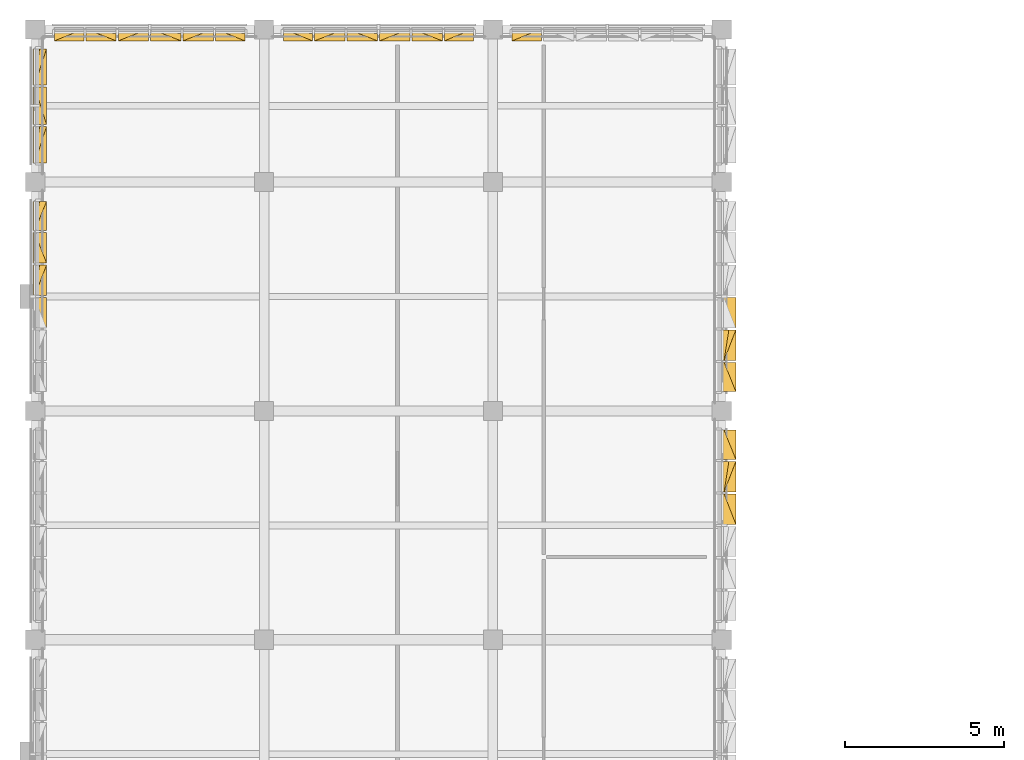
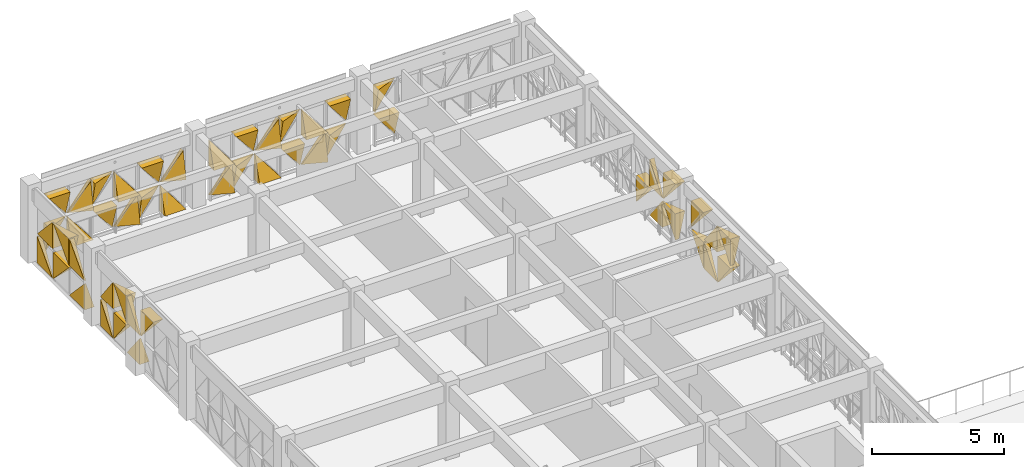
# One storey, part 98 of 99: 50 coverings.
"""IFC4 building model written with IfcOpenShell, lengths in metres."""

from ifc_helpers import new_model, si_unit, direction, frame, origin, place, context, subcontext, project, spatial, polygons, material, layer, layer_set, type_object, element, save


model = new_model("IFC4")

# Units and contexts
model_context = context("Model", 3, precision=1e-05, world=origin(), true_north=direction((0.0, 1.0)))
body_context = subcontext(model_context, "Body", "Model", "MODEL_VIEW")
ifc_project = project(units=[si_unit("LENGTHUNIT", "METRE"), si_unit("AREAUNIT", "SQUARE_METRE"), si_unit("VOLUMEUNIT", "CUBIC_METRE"), si_unit("PLANEANGLEUNIT", "RADIAN"), si_unit("MASSUNIT", "GRAM", prefix="KILO")], contexts=[model_context])

# Site, building, storey
site_placement = place(None, origin())
site = spatial("IfcSite", under=ifc_project, at=site_placement, CompositionType="ELEMENT")
building_placement = place(site_placement, origin())
building = spatial("IfcBuilding", under=site, at=building_placement, Name="Alvorim Cloister Faculty of Sciences", CompositionType="ELEMENT")
storey_placement = place(building_placement, frame((0.0, 0.0, 12.14990234375)))
storey = spatial("IfcBuildingStorey", under=building, at=storey_placement, Name="L03", CompositionType="ELEMENT", Elevation=12.14990234375)

# Coverings
ifc_material = material(Name="Perforated Bronze Alloy Sheet", Category="metal")
ifc_layer = layer(ifc_material, 0.0380859375)
ifc_layer_set = layer_set([ifc_layer], Name="Perforated Bronze Alloy Sheet")
covering_type = type_object("IfcCoveringType", Name="COV-TRI-BRZ", PredefinedType="CLADDING", material=ifc_layer_set)
covering_1_placement = place(storey_placement, frame((-0.044921875, 102.21240234375, 1.4951171875), z_axis=(0.0, 0.0, 1.0), x_axis=(0.0, 1.0, 0.0)))
element("IfcCovering", 1, at=covering_1_placement, inside=storey, type_object=covering_type, Name="Diagonal Solid Metal Triangle TRI-TR", PredefinedType="CLADDING", context=body_context, shape_type="Tessellation", body=[
    polygons([(0.955078125, 0.0260009765625, 0.002), (0.955078125, 0.0260009765625, 1.215087890625), (0.002, 0.0260009765625, 1.215087890625), (0.955078125, -0.03, 0.002), (0.955078125, -0.4, 1.215087890625), (0.002, -0.4, 1.215087890625)], [[[1, 3, 2]], [[4, 5, 6]], [[1, 2, 5, 4]], [[2, 3, 6, 5]], [[3, 1, 4, 6]]], closed=True),
])
covering_2_placement = place(storey_placement, frame((-0.044921875, 103.232421875, 0.14013671875), z_axis=(0.0, 0.0, 1.0), x_axis=(0.0, 1.0, 0.0)))
element("IfcCovering", 2, at=covering_2_placement, inside=storey, type_object=covering_type, Name="Diagonal Solid Metal Triangle TRI-BL", PredefinedType="CLADDING", context=body_context, shape_type="Tessellation", body=[
    polygons([(0.0, 0.0260009765625, 0.0), (0.953078125, 0.0260009765625, 0.0), (0.0, 0.0260009765625, 1.21284375), (0.0, -0.4, 0.0), (0.953078125, -0.4, 0.0), (0.0, -0.03, 1.21284375)], [[[1, 3, 2]], [[4, 5, 6]], [[1, 2, 5, 4]], [[2, 3, 6, 5]], [[3, 1, 4, 6]]], closed=True),
])
covering_3_placement = place(storey_placement, frame((-0.044921875, 103.232421875, 1.4951171875), z_axis=(0.0, 0.0, 1.0), x_axis=(0.0, 1.0, 0.0)))
element("IfcCovering", 3, at=covering_3_placement, inside=storey, type_object=covering_type, Name="Diagonal Solid Metal Triangle TRI-BR", PredefinedType="CLADDING", context=body_context, shape_type="Tessellation", body=[
    polygons([(0.002, 0.0260009765625, 0.0), (0.955078125, 0.0260009765625, 0.0), (0.955078125, 0.0260009765625, 1.213087890625), (0.002, -0.03, 0.0), (0.955078125, -0.4, 0.0), (0.955078125, -0.18000000000000002, 1.213087890625)], [[[1, 3, 2]], [[4, 5, 6]], [[1, 2, 5, 4]], [[2, 3, 6, 5]], [[3, 1, 4, 6]]], closed=True),
])
covering_4_placement = place(storey_placement, frame((-0.044921875, 104.25244140625, 0.14013671875), z_axis=(0.0, 0.0, 1.0), x_axis=(0.0, 1.0, 0.0)))
element("IfcCovering", 4, at=covering_4_placement, inside=storey, type_object=covering_type, Name="Diagonal Solid Metal Triangle TRI-TR", PredefinedType="CLADDING", context=body_context, shape_type="Tessellation", body=[
    polygons([(0.955078125, 0.0260009765625, 0.002), (0.955078125, 0.0260009765625, 1.21484375), (0.002, 0.0260009765625, 1.21484375), (0.955078125, -0.03, 0.002), (0.955078125, -0.4, 1.21484375), (0.002, -0.4, 1.21484375)], [[[1, 3, 2]], [[4, 5, 6]], [[1, 2, 5, 4]], [[2, 3, 6, 5]], [[3, 1, 4, 6]]], closed=True),
])
covering_5_placement = place(storey_placement, frame((-0.044921875, 104.25244140625, 1.4951171875), z_axis=(0.0, 0.0, 1.0), x_axis=(0.0, 1.0, 0.0)))
element("IfcCovering", 5, at=covering_5_placement, inside=storey, type_object=covering_type, Name="Diagonal Solid Metal Triangle TRI-TL", PredefinedType="CLADDING", context=body_context, shape_type="Tessellation", body=[
    polygons([(0.953078125, 0.0260009765625, 1.215087890625), (0.0, 0.0260009765625, 1.215087890625), (0.0, 0.0260009765625, 0.002), (0.953078125, -0.03, 1.215087890625), (0.0, -0.4, 1.215087890625), (0.0, -0.13999999999999999, 0.002)], [[[1, 3, 2]], [[4, 5, 6]], [[1, 2, 5, 4]], [[2, 3, 6, 5]], [[3, 1, 4, 6]]], closed=True),
])
covering_6_placement = place(storey_placement, frame((-0.044921875, 105.2724609375, 0.14013671875), z_axis=(0.0, 0.0, 1.0), x_axis=(0.0, 1.0, 0.0)))
element("IfcCovering", 6, at=covering_6_placement, inside=storey, type_object=covering_type, Name="Diagonal Solid Metal Triangle TRI-BR", PredefinedType="CLADDING", context=body_context, shape_type="Tessellation", body=[
    polygons([(0.002, 0.0260009765625, 0.0), (0.922607421875, 0.0260009765625, 0.0), (0.922607421875, 0.0260009765625, 1.21284375), (0.002, -0.03, 0.0), (0.922607421875, -0.4, 0.0), (0.922607421875, -0.18000000000000002, 1.21284375)], [[[1, 3, 2]], [[4, 5, 6]], [[1, 2, 5, 4]], [[2, 3, 6, 5]], [[3, 1, 4, 6]]], closed=True),
])
covering_7_placement = place(storey_placement, frame((-0.044921875, 105.2724609375, 1.4951171875), z_axis=(0.0, 0.0, 1.0), x_axis=(0.0, 1.0, 0.0)))
element("IfcCovering", 7, at=covering_7_placement, inside=storey, type_object=covering_type, Name="Diagonal Solid Metal Triangle TRI-BL", PredefinedType="CLADDING", context=body_context, shape_type="Tessellation", body=[
    polygons([(0.0, 0.0260009765625, 0.0), (0.920607421875, 0.0260009765625, 0.0), (0.0, 0.0260009765625, 1.213087890625), (0.0, -0.4, 0.0), (0.920607421875, -0.4, 0.0), (0.0, -0.03, 1.213087890625)], [[[1, 3, 2]], [[4, 5, 6]], [[1, 2, 5, 4]], [[2, 3, 6, 5]], [[3, 1, 4, 6]]], closed=True),
])
covering_8_placement = place(storey_placement, frame((-0.044921875, 107.405029296875, 0.14013671875), z_axis=(0.0, 0.0, 1.0), x_axis=(0.0, 1.0, 0.0)))
element("IfcCovering", 8, at=covering_8_placement, inside=storey, type_object=covering_type, Name="Diagonal Solid Metal Triangle TRI-BL", PredefinedType="CLADDING", context=body_context, shape_type="Tessellation", body=[
    polygons([(0.0, 0.0260009765625, 0.0), (1.140578125, 0.0260009765625, 0.0), (0.0, 0.0260009765625, 1.21284375), (0.0, -0.4, 0.0), (1.140578125, -0.4, 0.0), (0.0, -0.03, 1.21284375)], [[[1, 3, 2]], [[4, 5, 6]], [[1, 2, 5, 4]], [[2, 3, 6, 5]], [[3, 1, 4, 6]]], closed=True),
])
covering_9_placement = place(storey_placement, frame((-0.044921875, 107.405029296875, 1.4951171875), z_axis=(0.0, 0.0, 1.0), x_axis=(0.0, 1.0, 0.0)))
element("IfcCovering", 9, at=covering_9_placement, inside=storey, type_object=covering_type, Name="Diagonal Solid Metal Triangle TRI-BR", PredefinedType="CLADDING", context=body_context, shape_type="Tessellation", body=[
    polygons([(0.002, 0.0260009765625, 0.0), (1.142578125, 0.0260009765625, 0.0), (1.142578125, 0.0260009765625, 1.213087890625), (0.002, -0.03, 0.0), (1.142578125, -0.4, 0.0), (1.142578125, -0.18000000000000002, 1.213087890625)], [[[1, 3, 2]], [[4, 5, 6]], [[1, 2, 5, 4]], [[2, 3, 6, 5]], [[3, 1, 4, 6]]], closed=True),
])
covering_10_placement = place(storey_placement, frame((-0.044921875, 108.612548828125, 0.14013671875), z_axis=(0.0, 0.0, 1.0), x_axis=(0.0, 1.0, 0.0)))
element("IfcCovering", 10, at=covering_10_placement, inside=storey, type_object=covering_type, Name="Diagonal Solid Metal Triangle TRI-TR", PredefinedType="CLADDING", context=body_context, shape_type="Tessellation", body=[
    polygons([(1.175048828125, 0.0260009765625, 0.002), (1.175048828125, 0.0260009765625, 1.21484375), (0.002, 0.0260009765625, 1.21484375), (1.175048828125, -0.03, 0.002), (1.175048828125, -0.4, 1.21484375), (0.002, -0.4, 1.21484375)], [[[1, 3, 2]], [[4, 5, 6]], [[1, 2, 5, 4]], [[2, 3, 6, 5]], [[3, 1, 4, 6]]], closed=True),
])
covering_11_placement = place(storey_placement, frame((-0.044921875, 108.612548828125, 1.4951171875), z_axis=(0.0, 0.0, 1.0), x_axis=(0.0, 1.0, 0.0)))
element("IfcCovering", 11, at=covering_11_placement, inside=storey, type_object=covering_type, Name="Diagonal Solid Metal Triangle TRI-TL", PredefinedType="CLADDING", context=body_context, shape_type="Tessellation", body=[
    polygons([(1.173048828125, 0.0260009765625, 1.215087890625), (0.0, 0.0260009765625, 1.215087890625), (0.0, 0.0260009765625, 0.002), (1.173048828125, -0.03, 1.215087890625), (0.0, -0.4, 1.215087890625), (0.0, -0.13999999999999999, 0.002)], [[[1, 3, 2]], [[4, 5, 6]], [[1, 2, 5, 4]], [[2, 3, 6, 5]], [[3, 1, 4, 6]]], closed=True),
])
covering_12_placement = place(storey_placement, frame((-0.044921875, 109.8525390625, 0.14013671875), z_axis=(0.0, 0.0, 1.0), x_axis=(0.0, 1.0, 0.0)))
element("IfcCovering", 12, at=covering_12_placement, inside=storey, type_object=covering_type, Name="Diagonal Solid Metal Triangle TRI-BR", PredefinedType="CLADDING", context=body_context, shape_type="Tessellation", body=[
    polygons([(0.002, 0.0260009765625, 0.0), (1.142578125, 0.0260009765625, 0.0), (1.142578125, 0.0260009765625, 1.21284375), (0.002, -0.03, 0.0), (1.142578125, -0.4, 0.0), (1.142578125, -0.18000000000000002, 1.21284375)], [[[1, 3, 2]], [[4, 5, 6]], [[1, 2, 5, 4]], [[2, 3, 6, 5]], [[3, 1, 4, 6]]], closed=True),
])
covering_13_placement = place(storey_placement, frame((-0.044921875, 109.8525390625, 1.4951171875), z_axis=(0.0, 0.0, 1.0), x_axis=(0.0, 1.0, 0.0)))
element("IfcCovering", 13, at=covering_13_placement, inside=storey, type_object=covering_type, Name="Diagonal Solid Metal Triangle TRI-BL", PredefinedType="CLADDING", context=body_context, shape_type="Tessellation", body=[
    polygons([(0.0, 0.0260009765625, 0.0), (1.140578125, 0.0260009765625, 0.0), (0.0, 0.0260009765625, 1.213087890625), (0.0, -0.4, 0.0), (1.140578125, -0.4, 0.0), (0.0, -0.03, 1.213087890625)], [[[1, 3, 2]], [[4, 5, 6]], [[1, 2, 5, 4]], [[2, 3, 6, 5]], [[3, 1, 4, 6]]], closed=True),
])
covering_14_placement = place(storey_placement, frame((0.60498046875, 111.64501953125, 0.14013671875), z_axis=(0.0, 0.0, 1.0), x_axis=(1.0, 0.0, 0.0)))
element("IfcCovering", 14, at=covering_14_placement, inside=storey, type_object=covering_type, Name="Diagonal Solid Metal Triangle TRI-TL", PredefinedType="CLADDING", context=body_context, shape_type="Tessellation", body=[
    polygons([(0.920607421875, 0.0260009765625, 1.21484375), (0.0, 0.0260009765625, 1.21484375), (0.0, 0.0260009765625, 0.002), (0.920607421875, -0.03, 1.21484375), (0.0, -0.4, 1.21484375), (0.0, -0.13999999999999999, 0.002)], [[[1, 3, 2]], [[4, 5, 6]], [[1, 2, 5, 4]], [[2, 3, 6, 5]], [[3, 1, 4, 6]]], closed=True),
])
covering_15_placement = place(storey_placement, frame((0.60498046875, 111.64501953125, 1.4951171875), z_axis=(0.0, 0.0, 1.0), x_axis=(1.0, 0.0, 0.0)))
element("IfcCovering", 15, at=covering_15_placement, inside=storey, type_object=covering_type, Name="Diagonal Solid Metal Triangle TRI-TR", PredefinedType="CLADDING", context=body_context, shape_type="Tessellation", body=[
    polygons([(0.922607421875, 0.0260009765625, 0.002), (0.922607421875, 0.0260009765625, 1.215087890625), (0.002, 0.0260009765625, 1.215087890625), (0.922607421875, -0.03, 0.002), (0.922607421875, -0.4, 1.215087890625), (0.002, -0.4, 1.215087890625)], [[[1, 3, 2]], [[4, 5, 6]], [[1, 2, 5, 4]], [[2, 3, 6, 5]], [[3, 1, 4, 6]]], closed=True),
])
covering_16_placement = place(storey_placement, frame((1.592529296875, 111.64501953125, 0.14013671875), z_axis=(0.0, 0.0, 1.0), x_axis=(1.0, 0.0, 0.0)))
element("IfcCovering", 16, at=covering_16_placement, inside=storey, type_object=covering_type, Name="Diagonal Solid Metal Triangle TRI-BL", PredefinedType="CLADDING", context=body_context, shape_type="Tessellation", body=[
    polygons([(0.0, 0.0260009765625, 0.0), (0.953078125, 0.0260009765625, 0.0), (0.0, 0.0260009765625, 1.21284375), (0.0, -0.4, 0.0), (0.953078125, -0.4, 0.0), (0.0, -0.03, 1.21284375)], [[[1, 3, 2]], [[4, 5, 6]], [[1, 2, 5, 4]], [[2, 3, 6, 5]], [[3, 1, 4, 6]]], closed=True),
])
covering_17_placement = place(storey_placement, frame((1.592529296875, 111.64501953125, 1.4951171875), z_axis=(0.0, 0.0, 1.0), x_axis=(1.0, 0.0, 0.0)))
element("IfcCovering", 17, at=covering_17_placement, inside=storey, type_object=covering_type, Name="Diagonal Solid Metal Triangle TRI-BR", PredefinedType="CLADDING", context=body_context, shape_type="Tessellation", body=[
    polygons([(0.002, 0.0260009765625, 0.0), (0.955078125, 0.0260009765625, 0.0), (0.955078125, 0.0260009765625, 1.213087890625), (0.002, -0.03, 0.0), (0.955078125, -0.4, 0.0), (0.955078125, -0.18000000000000002, 1.213087890625)], [[[1, 3, 2]], [[4, 5, 6]], [[1, 2, 5, 4]], [[2, 3, 6, 5]], [[3, 1, 4, 6]]], closed=True),
])
covering_18_placement = place(storey_placement, frame((2.612548828125, 111.64501953125, 0.14013671875), z_axis=(0.0, 0.0, 1.0), x_axis=(1.0, 0.0, 0.0)))
element("IfcCovering", 18, at=covering_18_placement, inside=storey, type_object=covering_type, Name="Diagonal Solid Metal Triangle TRI-TR", PredefinedType="CLADDING", context=body_context, shape_type="Tessellation", body=[
    polygons([(0.955078125, 0.0260009765625, 0.002), (0.955078125, 0.0260009765625, 1.21484375), (0.002, 0.0260009765625, 1.21484375), (0.955078125, -0.03, 0.002), (0.955078125, -0.4, 1.21484375), (0.002, -0.4, 1.21484375)], [[[1, 3, 2]], [[4, 5, 6]], [[1, 2, 5, 4]], [[2, 3, 6, 5]], [[3, 1, 4, 6]]], closed=True),
])
covering_19_placement = place(storey_placement, frame((2.612548828125, 111.64501953125, 1.4951171875), z_axis=(0.0, 0.0, 1.0), x_axis=(1.0, 0.0, 0.0)))
element("IfcCovering", 19, at=covering_19_placement, inside=storey, type_object=covering_type, Name="Diagonal Solid Metal Triangle TRI-TL", PredefinedType="CLADDING", context=body_context, shape_type="Tessellation", body=[
    polygons([(0.953078125, 0.0260009765625, 1.215087890625), (0.0, 0.0260009765625, 1.215087890625), (0.0, 0.0260009765625, 0.002), (0.953078125, -0.03, 1.215087890625), (0.0, -0.4, 1.215087890625), (0.0, -0.13999999999999999, 0.002)], [[[1, 3, 2]], [[4, 5, 6]], [[1, 2, 5, 4]], [[2, 3, 6, 5]], [[3, 1, 4, 6]]], closed=True),
])
covering_20_placement = place(storey_placement, frame((3.632568359375, 111.64501953125, 0.14013671875), z_axis=(0.0, 0.0, 1.0), x_axis=(1.0, 0.0, 0.0)))
element("IfcCovering", 20, at=covering_20_placement, inside=storey, type_object=covering_type, Name="Diagonal Solid Metal Triangle TRI-BR", PredefinedType="CLADDING", context=body_context, shape_type="Tessellation", body=[
    polygons([(0.002, 0.0260009765625, 0.0), (0.955078125, 0.0260009765625, 0.0), (0.955078125, 0.0260009765625, 1.21284375), (0.002, -0.03, 0.0), (0.955078125, -0.4, 0.0), (0.955078125, -0.18000000000000002, 1.21284375)], [[[1, 3, 2]], [[4, 5, 6]], [[1, 2, 5, 4]], [[2, 3, 6, 5]], [[3, 1, 4, 6]]], closed=True),
])
covering_21_placement = place(storey_placement, frame((3.632568359375, 111.64501953125, 1.4951171875), z_axis=(0.0, 0.0, 1.0), x_axis=(1.0, 0.0, 0.0)))
element("IfcCovering", 21, at=covering_21_placement, inside=storey, type_object=covering_type, Name="Diagonal Solid Metal Triangle TRI-BL", PredefinedType="CLADDING", context=body_context, shape_type="Tessellation", body=[
    polygons([(0.0, 0.0260009765625, 0.0), (0.953078125, 0.0260009765625, 0.0), (0.0, 0.0260009765625, 1.213087890625), (0.0, -0.4, 0.0), (0.953078125, -0.4, 0.0), (0.0, -0.03, 1.213087890625)], [[[1, 3, 2]], [[4, 5, 6]], [[1, 2, 5, 4]], [[2, 3, 6, 5]], [[3, 1, 4, 6]]], closed=True),
])
covering_22_placement = place(storey_placement, frame((4.652587890625, 111.64501953125, 0.14013671875), z_axis=(0.0, 0.0, 1.0), x_axis=(1.0, 0.0, 0.0)))
element("IfcCovering", 22, at=covering_22_placement, inside=storey, type_object=covering_type, Name="Diagonal Solid Metal Triangle TRI-TL", PredefinedType="CLADDING", context=body_context, shape_type="Tessellation", body=[
    polygons([(0.953078125, 0.0260009765625, 1.21484375), (0.0, 0.0260009765625, 1.21484375), (0.0, 0.0260009765625, 0.002), (0.953078125, -0.03, 1.21484375), (0.0, -0.4, 1.21484375), (0.0, -0.13999999999999999, 0.002)], [[[1, 3, 2]], [[4, 5, 6]], [[1, 2, 5, 4]], [[2, 3, 6, 5]], [[3, 1, 4, 6]]], closed=True),
])
covering_23_placement = place(storey_placement, frame((4.652587890625, 111.64501953125, 1.4951171875), z_axis=(0.0, 0.0, 1.0), x_axis=(1.0, 0.0, 0.0)))
element("IfcCovering", 23, at=covering_23_placement, inside=storey, type_object=covering_type, Name="Diagonal Solid Metal Triangle TRI-TR", PredefinedType="CLADDING", context=body_context, shape_type="Tessellation", body=[
    polygons([(0.955078125, 0.0260009765625, 0.002), (0.955078125, 0.0260009765625, 1.215087890625), (0.002, 0.0260009765625, 1.215087890625), (0.955078125, -0.03, 0.002), (0.955078125, -0.4, 1.215087890625), (0.002, -0.4, 1.215087890625)], [[[1, 3, 2]], [[4, 5, 6]], [[1, 2, 5, 4]], [[2, 3, 6, 5]], [[3, 1, 4, 6]]], closed=True),
])
covering_24_placement = place(storey_placement, frame((5.672607421875, 111.64501953125, 0.14013671875), z_axis=(0.0, 0.0, 1.0), x_axis=(1.0, 0.0, 0.0)))
element("IfcCovering", 24, at=covering_24_placement, inside=storey, type_object=covering_type, Name="Diagonal Solid Metal Triangle TRI-BL", PredefinedType="CLADDING", context=body_context, shape_type="Tessellation", body=[
    polygons([(0.0, 0.0260009765625, 0.0), (0.920607421875, 0.0260009765625, 0.0), (0.0, 0.0260009765625, 1.21284375), (0.0, -0.4, 0.0), (0.920607421875, -0.4, 0.0), (0.0, -0.03, 1.21284375)], [[[1, 3, 2]], [[4, 5, 6]], [[1, 2, 5, 4]], [[2, 3, 6, 5]], [[3, 1, 4, 6]]], closed=True),
])
covering_25_placement = place(storey_placement, frame((5.672607421875, 111.64501953125, 1.4951171875), z_axis=(0.0, 0.0, 1.0), x_axis=(1.0, 0.0, 0.0)))
element("IfcCovering", 25, at=covering_25_placement, inside=storey, type_object=covering_type, Name="Diagonal Solid Metal Triangle TRI-BR", PredefinedType="CLADDING", context=body_context, shape_type="Tessellation", body=[
    polygons([(0.002, 0.0260009765625, 0.0), (0.922607421875, 0.0260009765625, 0.0), (0.922607421875, 0.0260009765625, 1.213087890625), (0.002, -0.03, 0.0), (0.922607421875, -0.4, 0.0), (0.922607421875, -0.18000000000000002, 1.213087890625)], [[[1, 3, 2]], [[4, 5, 6]], [[1, 2, 5, 4]], [[2, 3, 6, 5]], [[3, 1, 4, 6]]], closed=True),
])
covering_26_placement = place(storey_placement, frame((7.804931640625, 111.64501953125, 0.14013671875), z_axis=(0.0, 0.0, 1.0), x_axis=(1.0, 0.0, 0.0)))
element("IfcCovering", 26, at=covering_26_placement, inside=storey, type_object=covering_type, Name="Diagonal Solid Metal Triangle TRI-BR", PredefinedType="CLADDING", context=body_context, shape_type="Tessellation", body=[
    polygons([(0.002, 0.0260009765625, 0.0), (0.922607421875, 0.0260009765625, 0.0), (0.922607421875, 0.0260009765625, 1.21284375), (0.002, -0.03, 0.0), (0.922607421875, -0.4, 0.0), (0.922607421875, -0.18000000000000002, 1.21284375)], [[[1, 3, 2]], [[4, 5, 6]], [[1, 2, 5, 4]], [[2, 3, 6, 5]], [[3, 1, 4, 6]]], closed=True),
])
covering_27_placement = place(storey_placement, frame((7.804931640625, 111.64501953125, 1.4951171875), z_axis=(0.0, 0.0, 1.0), x_axis=(1.0, 0.0, 0.0)))
element("IfcCovering", 27, at=covering_27_placement, inside=storey, type_object=covering_type, Name="Diagonal Solid Metal Triangle TRI-BL", PredefinedType="CLADDING", context=body_context, shape_type="Tessellation", body=[
    polygons([(0.0, 0.0260009765625, 0.0), (0.920607421875, 0.0260009765625, 0.0), (0.0, 0.0260009765625, 1.213087890625), (0.0, -0.4, 0.0), (0.920607421875, -0.4, 0.0), (0.0, -0.03, 1.213087890625)], [[[1, 3, 2]], [[4, 5, 6]], [[1, 2, 5, 4]], [[2, 3, 6, 5]], [[3, 1, 4, 6]]], closed=True),
])
covering_28_placement = place(storey_placement, frame((8.79248046875, 111.64501953125, 0.14013671875), z_axis=(0.0, 0.0, 1.0), x_axis=(1.0, 0.0, 0.0)))
element("IfcCovering", 28, at=covering_28_placement, inside=storey, type_object=covering_type, Name="Diagonal Solid Metal Triangle TRI-TL", PredefinedType="CLADDING", context=body_context, shape_type="Tessellation", body=[
    polygons([(0.953078125, 0.0260009765625, 1.21484375), (0.0, 0.0260009765625, 1.21484375), (0.0, 0.0260009765625, 0.002), (0.953078125, -0.03, 1.21484375), (0.0, -0.4, 1.21484375), (0.0, -0.13999999999999999, 0.002)], [[[1, 3, 2]], [[4, 5, 6]], [[1, 2, 5, 4]], [[2, 3, 6, 5]], [[3, 1, 4, 6]]], closed=True),
])
covering_29_placement = place(storey_placement, frame((8.79248046875, 111.64501953125, 1.4951171875), z_axis=(0.0, 0.0, 1.0), x_axis=(1.0, 0.0, 0.0)))
element("IfcCovering", 29, at=covering_29_placement, inside=storey, type_object=covering_type, Name="Diagonal Solid Metal Triangle TRI-TR", PredefinedType="CLADDING", context=body_context, shape_type="Tessellation", body=[
    polygons([(0.955078125, 0.0260009765625, 0.002), (0.955078125, 0.0260009765625, 1.215087890625), (0.002, 0.0260009765625, 1.215087890625), (0.955078125, -0.03, 0.002), (0.955078125, -0.4, 1.215087890625), (0.002, -0.4, 1.215087890625)], [[[1, 3, 2]], [[4, 5, 6]], [[1, 2, 5, 4]], [[2, 3, 6, 5]], [[3, 1, 4, 6]]], closed=True),
])
covering_30_placement = place(storey_placement, frame((9.8125, 111.64501953125, 0.14013671875), z_axis=(0.0, 0.0, 1.0), x_axis=(1.0, 0.0, 0.0)))
element("IfcCovering", 30, at=covering_30_placement, inside=storey, type_object=covering_type, Name="Diagonal Solid Metal Triangle TRI-BL", PredefinedType="CLADDING", context=body_context, shape_type="Tessellation", body=[
    polygons([(0.0, 0.0260009765625, 0.0), (0.953078125, 0.0260009765625, 0.0), (0.0, 0.0260009765625, 1.21284375), (0.0, -0.4, 0.0), (0.953078125, -0.4, 0.0), (0.0, -0.03, 1.21284375)], [[[1, 3, 2]], [[4, 5, 6]], [[1, 2, 5, 4]], [[2, 3, 6, 5]], [[3, 1, 4, 6]]], closed=True),
])
covering_31_placement = place(storey_placement, frame((9.8125, 111.64501953125, 1.4951171875), z_axis=(0.0, 0.0, 1.0), x_axis=(1.0, 0.0, 0.0)))
element("IfcCovering", 31, at=covering_31_placement, inside=storey, type_object=covering_type, Name="Diagonal Solid Metal Triangle TRI-BR", PredefinedType="CLADDING", context=body_context, shape_type="Tessellation", body=[
    polygons([(0.002, 0.0260009765625, 0.0), (0.955078125, 0.0260009765625, 0.0), (0.955078125, 0.0260009765625, 1.213087890625), (0.002, -0.03, 0.0), (0.955078125, -0.4, 0.0), (0.955078125, -0.18000000000000002, 1.213087890625)], [[[1, 3, 2]], [[4, 5, 6]], [[1, 2, 5, 4]], [[2, 3, 6, 5]], [[3, 1, 4, 6]]], closed=True),
])
covering_32_placement = place(storey_placement, frame((10.83251953125, 111.64501953125, 0.14013671875), z_axis=(0.0, 0.0, 1.0), x_axis=(1.0, 0.0, 0.0)))
element("IfcCovering", 32, at=covering_32_placement, inside=storey, type_object=covering_type, Name="Diagonal Solid Metal Triangle TRI-TR", PredefinedType="CLADDING", context=body_context, shape_type="Tessellation", body=[
    polygons([(0.955078125, 0.0260009765625, 0.002), (0.955078125, 0.0260009765625, 1.21484375), (0.002, 0.0260009765625, 1.21484375), (0.955078125, -0.03, 0.002), (0.955078125, -0.4, 1.21484375), (0.002, -0.4, 1.21484375)], [[[1, 3, 2]], [[4, 5, 6]], [[1, 2, 5, 4]], [[2, 3, 6, 5]], [[3, 1, 4, 6]]], closed=True),
])
covering_33_placement = place(storey_placement, frame((10.83251953125, 111.64501953125, 1.4951171875), z_axis=(0.0, 0.0, 1.0), x_axis=(1.0, 0.0, 0.0)))
element("IfcCovering", 33, at=covering_33_placement, inside=storey, type_object=covering_type, Name="Diagonal Solid Metal Triangle TRI-TL", PredefinedType="CLADDING", context=body_context, shape_type="Tessellation", body=[
    polygons([(0.953078125, 0.0260009765625, 1.215087890625), (0.0, 0.0260009765625, 1.215087890625), (0.0, 0.0260009765625, 0.002), (0.953078125, -0.03, 1.215087890625), (0.0, -0.4, 1.215087890625), (0.0, -0.13999999999999999, 0.002)], [[[1, 3, 2]], [[4, 5, 6]], [[1, 2, 5, 4]], [[2, 3, 6, 5]], [[3, 1, 4, 6]]], closed=True),
])
covering_34_placement = place(storey_placement, frame((11.8525390625, 111.64501953125, 0.14013671875), z_axis=(0.0, 0.0, 1.0), x_axis=(1.0, 0.0, 0.0)))
element("IfcCovering", 34, at=covering_34_placement, inside=storey, type_object=covering_type, Name="Diagonal Solid Metal Triangle TRI-BR", PredefinedType="CLADDING", context=body_context, shape_type="Tessellation", body=[
    polygons([(0.002, 0.0260009765625, 0.0), (0.955078125, 0.0260009765625, 0.0), (0.955078125, 0.0260009765625, 1.21284375), (0.002, -0.03, 0.0), (0.955078125, -0.4, 0.0), (0.955078125, -0.18000000000000002, 1.21284375)], [[[1, 3, 2]], [[4, 5, 6]], [[1, 2, 5, 4]], [[2, 3, 6, 5]], [[3, 1, 4, 6]]], closed=True),
])
covering_35_placement = place(storey_placement, frame((11.8525390625, 111.64501953125, 1.4951171875), z_axis=(0.0, 0.0, 1.0), x_axis=(1.0, 0.0, 0.0)))
element("IfcCovering", 35, at=covering_35_placement, inside=storey, type_object=covering_type, Name="Diagonal Solid Metal Triangle TRI-BL", PredefinedType="CLADDING", context=body_context, shape_type="Tessellation", body=[
    polygons([(0.0, 0.0260009765625, 0.0), (0.953078125, 0.0260009765625, 0.0), (0.0, 0.0260009765625, 1.213087890625), (0.0, -0.4, 0.0), (0.953078125, -0.4, 0.0), (0.0, -0.03, 1.213087890625)], [[[1, 3, 2]], [[4, 5, 6]], [[1, 2, 5, 4]], [[2, 3, 6, 5]], [[3, 1, 4, 6]]], closed=True),
])
covering_36_placement = place(storey_placement, frame((12.87255859375, 111.64501953125, 0.14013671875), z_axis=(0.0, 0.0, 1.0), x_axis=(1.0, 0.0, 0.0)))
element("IfcCovering", 36, at=covering_36_placement, inside=storey, type_object=covering_type, Name="Diagonal Solid Metal Triangle TRI-TL", PredefinedType="CLADDING", context=body_context, shape_type="Tessellation", body=[
    polygons([(0.920607421875, 0.0260009765625, 1.21484375), (0.0, 0.0260009765625, 1.21484375), (0.0, 0.0260009765625, 0.002), (0.920607421875, -0.03, 1.21484375), (0.0, -0.4, 1.21484375), (0.0, -0.13999999999999999, 0.002)], [[[1, 3, 2]], [[4, 5, 6]], [[1, 2, 5, 4]], [[2, 3, 6, 5]], [[3, 1, 4, 6]]], closed=True),
])
covering_37_placement = place(storey_placement, frame((12.87255859375, 111.64501953125, 1.4951171875), z_axis=(0.0, 0.0, 1.0), x_axis=(1.0, 0.0, 0.0)))
element("IfcCovering", 37, at=covering_37_placement, inside=storey, type_object=covering_type, Name="Diagonal Solid Metal Triangle TRI-TR", PredefinedType="CLADDING", context=body_context, shape_type="Tessellation", body=[
    polygons([(0.922607421875, 0.0260009765625, 0.002), (0.922607421875, 0.0260009765625, 1.215087890625), (0.002, 0.0260009765625, 1.215087890625), (0.922607421875, -0.03, 0.002), (0.922607421875, -0.4, 1.215087890625), (0.002, -0.4, 1.215087890625)], [[[1, 3, 2]], [[4, 5, 6]], [[1, 2, 5, 4]], [[2, 3, 6, 5]], [[3, 1, 4, 6]]], closed=True),
])
covering_38_placement = place(storey_placement, frame((15.0048828125, 111.64501953125, 0.14013671875), z_axis=(0.0, 0.0, 1.0), x_axis=(1.0, 0.0, 0.0)))
element("IfcCovering", 38, at=covering_38_placement, inside=storey, type_object=covering_type, Name="Diagonal Solid Metal Triangle TRI-TR", PredefinedType="CLADDING", context=body_context, shape_type="Tessellation", body=[
    polygons([(0.922607421875, 0.0260009765625, 0.002), (0.922607421875, 0.0260009765625, 1.21484375), (0.002, 0.0260009765625, 1.21484375), (0.922607421875, -0.03, 0.002), (0.922607421875, -0.4, 1.21484375), (0.002, -0.4, 1.21484375)], [[[1, 3, 2]], [[4, 5, 6]], [[1, 2, 5, 4]], [[2, 3, 6, 5]], [[3, 1, 4, 6]]], closed=True),
])
covering_39_placement = place(storey_placement, frame((15.0048828125, 111.64501953125, 1.4951171875), z_axis=(0.0, 0.0, 1.0), x_axis=(1.0, 0.0, 0.0)))
element("IfcCovering", 39, at=covering_39_placement, inside=storey, type_object=covering_type, Name="Diagonal Solid Metal Triangle TRI-TL", PredefinedType="CLADDING", context=body_context, shape_type="Tessellation", body=[
    polygons([(0.920607421875, 0.0260009765625, 1.215087890625), (0.0, 0.0260009765625, 1.215087890625), (0.0, 0.0260009765625, 0.002), (0.920607421875, -0.03, 1.215087890625), (0.0, -0.4, 1.215087890625), (0.0, -0.13999999999999999, 0.002)], [[[1, 3, 2]], [[4, 5, 6]], [[1, 2, 5, 4]], [[2, 3, 6, 5]], [[3, 1, 4, 6]]], closed=True),
])
covering_40_placement = place(storey_placement, frame((21.64501953125, 100.205078125, 0.14013671875), z_axis=(0.0, 0.0, 1.0), x_axis=(0.0, 1.0, 0.0)))
element("IfcCovering", 40, at=covering_40_placement, inside=storey, type_object=covering_type, Name="Diagonal Solid Metal Triangle TRI-TL", PredefinedType="CLADDING", context=body_context, shape_type="Tessellation", body=[
    polygons([(0.920607421875, 0.0260009765625, 1.21484375), (0.0, 0.0260009765625, 1.21484375), (0.0, 0.0260009765625, 0.002), (0.920607421875, -0.03, 1.21484375), (0.0, -0.4, 1.21484375), (0.0, -0.13999999999999999, 0.002)], [[[1, 3, 2]], [[4, 5, 6]], [[1, 2, 5, 4]], [[2, 3, 6, 5]], [[3, 1, 4, 6]]], closed=True),
])
covering_41_placement = place(storey_placement, frame((21.64501953125, 100.205078125, 1.4951171875), z_axis=(0.0, 0.0, 1.0), x_axis=(0.0, 1.0, 0.0)))
element("IfcCovering", 41, at=covering_41_placement, inside=storey, type_object=covering_type, Name="Diagonal Solid Metal Triangle TRI-TR", PredefinedType="CLADDING", context=body_context, shape_type="Tessellation", body=[
    polygons([(0.922607421875, 0.0260009765625, 0.002), (0.922607421875, 0.0260009765625, 1.215087890625), (0.002, 0.0260009765625, 1.215087890625), (0.922607421875, -0.03, 0.002), (0.922607421875, -0.4, 1.215087890625), (0.002, -0.4, 1.215087890625)], [[[1, 3, 2]], [[4, 5, 6]], [[1, 2, 5, 4]], [[2, 3, 6, 5]], [[3, 1, 4, 6]]], closed=True),
])
covering_42_placement = place(storey_placement, frame((21.64501953125, 101.1923828125, 0.14013671875), z_axis=(0.0, 0.0, 1.0), x_axis=(0.0, 1.0, 0.0)))
element("IfcCovering", 42, at=covering_42_placement, inside=storey, type_object=covering_type, Name="Diagonal Solid Metal Triangle TRI-BL", PredefinedType="CLADDING", context=body_context, shape_type="Tessellation", body=[
    polygons([(0.0, 0.0260009765625, 0.0), (0.953078125, 0.0260009765625, 0.0), (0.0, 0.0260009765625, 1.21284375), (0.0, -0.4, 0.0), (0.953078125, -0.4, 0.0), (0.0, -0.03, 1.21284375)], [[[1, 3, 2]], [[4, 5, 6]], [[1, 2, 5, 4]], [[2, 3, 6, 5]], [[3, 1, 4, 6]]], closed=True),
])
covering_43_placement = place(storey_placement, frame((21.64501953125, 101.1923828125, 1.4951171875), z_axis=(0.0, 0.0, 1.0), x_axis=(0.0, 1.0, 0.0)))
element("IfcCovering", 43, at=covering_43_placement, inside=storey, type_object=covering_type, Name="Diagonal Solid Metal Triangle TRI-BR", PredefinedType="CLADDING", context=body_context, shape_type="Tessellation", body=[
    polygons([(0.002, 0.0260009765625, 0.0), (0.955078125, 0.0260009765625, 0.0), (0.955078125, 0.0260009765625, 1.213087890625), (0.002, -0.03, 0.0), (0.955078125, -0.4, 0.0), (0.955078125, -0.18000000000000002, 1.213087890625)], [[[1, 3, 2]], [[4, 5, 6]], [[1, 2, 5, 4]], [[2, 3, 6, 5]], [[3, 1, 4, 6]]], closed=True),
])
for number, where, z_axis, x_axis, name in (
    (44, (21.64501953125, 102.21240234375, 0.14013671875), (0.0, 0.0, 1.0), (0.0, 1.0, 0.0), "Diagonal Solid Metal Triangle TRI-TR"),
    (45, (21.64501953125, 96.032470703125, 0.14013671875), (0.0, 0.0, 1.0), (0.0, 1.0, 0.0), "Diagonal Solid Metal Triangle TRI-TR"),
):
    element("IfcCovering", number, at=place(storey_placement, frame(where, z_axis=z_axis, x_axis=x_axis)), inside=storey, type_object=covering_type, Name=name, PredefinedType="CLADDING", context=body_context, shape_type="Tessellation", body=[
        polygons([(0.955078125, 0.0260009765625, 0.002), (0.955078125, 0.0260009765625, 1.21484375), (0.002, 0.0260009765625, 1.21484375), (0.955078125, -0.03, 0.002), (0.955078125, -0.4, 1.21484375), (0.002, -0.4, 1.21484375)], [[[1, 3, 2]], [[4, 5, 6]], [[1, 2, 5, 4]], [[2, 3, 6, 5]], [[3, 1, 4, 6]]], closed=True),
    ])
covering_44_placement = place(storey_placement, frame((21.64501953125, 96.032470703125, 1.4951171875), z_axis=(0.0, 0.0, 1.0), x_axis=(0.0, 1.0, 0.0)))
element("IfcCovering", 46, at=covering_44_placement, inside=storey, type_object=covering_type, Name="Diagonal Solid Metal Triangle TRI-TL", PredefinedType="CLADDING", context=body_context, shape_type="Tessellation", body=[
    polygons([(0.953078125, 0.0260009765625, 1.215087890625), (0.0, 0.0260009765625, 1.215087890625), (0.0, 0.0260009765625, 0.002), (0.953078125, -0.03, 1.215087890625), (0.0, -0.4, 1.215087890625), (0.0, -0.13999999999999999, 0.002)], [[[1, 3, 2]], [[4, 5, 6]], [[1, 2, 5, 4]], [[2, 3, 6, 5]], [[3, 1, 4, 6]]], closed=True),
])
covering_45_placement = place(storey_placement, frame((21.64501953125, 97.052490234375, 0.14013671875), z_axis=(0.0, 0.0, 1.0), x_axis=(0.0, 1.0, 0.0)))
element("IfcCovering", 47, at=covering_45_placement, inside=storey, type_object=covering_type, Name="Diagonal Solid Metal Triangle TRI-BR", PredefinedType="CLADDING", context=body_context, shape_type="Tessellation", body=[
    polygons([(0.002, 0.0260009765625, 0.0), (0.955078125, 0.0260009765625, 0.0), (0.955078125, 0.0260009765625, 1.21284375), (0.002, -0.03, 0.0), (0.955078125, -0.4, 0.0), (0.955078125, -0.18000000000000002, 1.21284375)], [[[1, 3, 2]], [[4, 5, 6]], [[1, 2, 5, 4]], [[2, 3, 6, 5]], [[3, 1, 4, 6]]], closed=True),
])
covering_46_placement = place(storey_placement, frame((21.64501953125, 97.052490234375, 1.4951171875), z_axis=(0.0, 0.0, 1.0), x_axis=(0.0, 1.0, 0.0)))
element("IfcCovering", 48, at=covering_46_placement, inside=storey, type_object=covering_type, Name="Diagonal Solid Metal Triangle TRI-BL", PredefinedType="CLADDING", context=body_context, shape_type="Tessellation", body=[
    polygons([(0.0, 0.0260009765625, 0.0), (0.953078125, 0.0260009765625, 0.0), (0.0, 0.0260009765625, 1.213087890625), (0.0, -0.4, 0.0), (0.953078125, -0.4, 0.0), (0.0, -0.03, 1.213087890625)], [[[1, 3, 2]], [[4, 5, 6]], [[1, 2, 5, 4]], [[2, 3, 6, 5]], [[3, 1, 4, 6]]], closed=True),
])
covering_47_placement = place(storey_placement, frame((21.64501953125, 98.072509765625, 0.14013671875), z_axis=(0.0, 0.0, 1.0), x_axis=(0.0, 1.0, 0.0)))
element("IfcCovering", 49, at=covering_47_placement, inside=storey, type_object=covering_type, Name="Diagonal Solid Metal Triangle TRI-TL", PredefinedType="CLADDING", context=body_context, shape_type="Tessellation", body=[
    polygons([(0.920607421875, 0.0260009765625, 1.21484375), (0.0, 0.0260009765625, 1.21484375), (0.0, 0.0260009765625, 0.002), (0.920607421875, -0.03, 1.21484375), (0.0, -0.4, 1.21484375), (0.0, -0.13999999999999999, 0.002)], [[[1, 3, 2]], [[4, 5, 6]], [[1, 2, 5, 4]], [[2, 3, 6, 5]], [[3, 1, 4, 6]]], closed=True),
])
covering_48_placement = place(storey_placement, frame((21.64501953125, 98.072509765625, 1.4951171875), z_axis=(0.0, 0.0, 1.0), x_axis=(0.0, 1.0, 0.0)))
element("IfcCovering", 50, at=covering_48_placement, inside=storey, type_object=covering_type, Name="Diagonal Solid Metal Triangle TRI-TR", PredefinedType="CLADDING", context=body_context, shape_type="Tessellation", body=[
    polygons([(0.922607421875, 0.0260009765625, 0.002), (0.922607421875, 0.0260009765625, 1.215087890625), (0.002, 0.0260009765625, 1.215087890625), (0.922607421875, -0.03, 0.002), (0.922607421875, -0.4, 1.215087890625), (0.002, -0.4, 1.215087890625)], [[[1, 3, 2]], [[4, 5, 6]], [[1, 2, 5, 4]], [[2, 3, 6, 5]], [[3, 1, 4, 6]]], closed=True),
])

save(model, "model.ifc")
